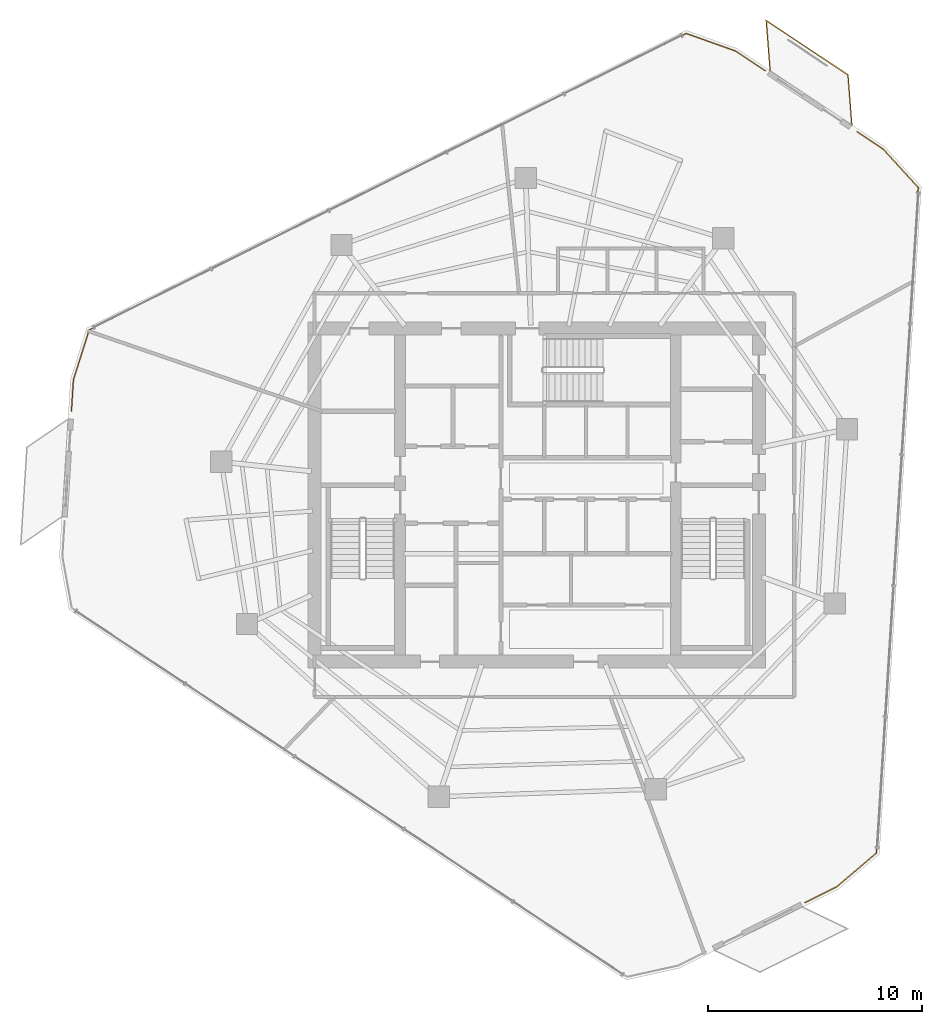
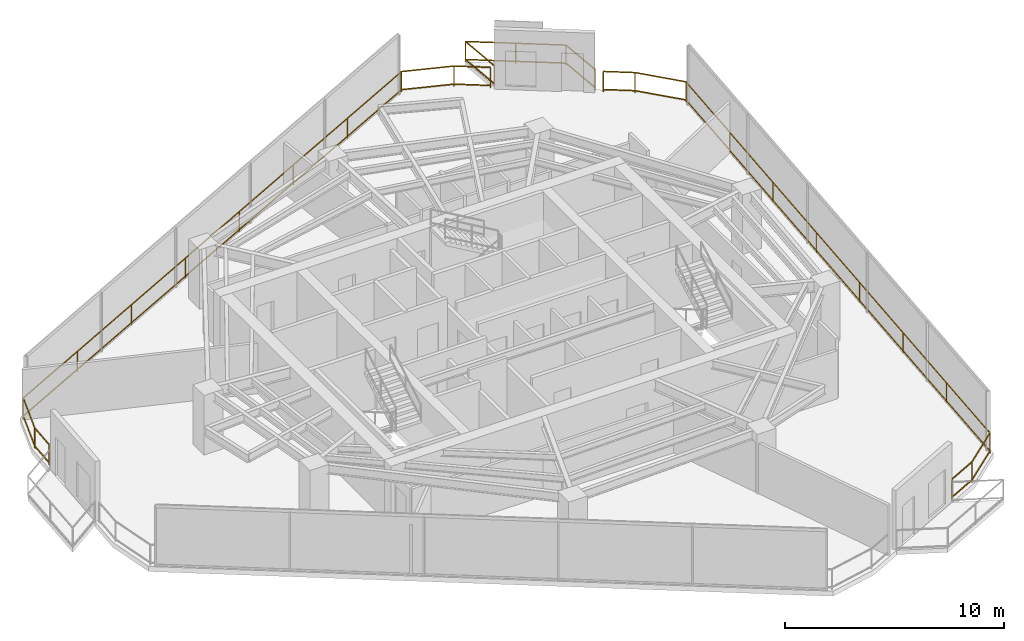
# One storey, part 21 of 21: 4 railings.
"""IFC4 building model written with IfcOpenShell, lengths in metres."""

from ifc_helpers import new_model, si_unit, direction, frame, origin, origin_2d, place, context, subcontext, project, spatial, rectangle, extrude, material, type_object, element, save


model = new_model("IFC4")

# Units and contexts
model_context = context("Model", 3, precision=1e-05, world=origin(), true_north=direction((0.0, 1.0)))
body_context = subcontext(model_context, "Body", "Model", "MODEL_VIEW")
ifc_project = project(units=[si_unit("LENGTHUNIT", "METRE"), si_unit("AREAUNIT", "SQUARE_METRE"), si_unit("VOLUMEUNIT", "CUBIC_METRE"), si_unit("PLANEANGLEUNIT", "RADIAN"), si_unit("MASSUNIT", "GRAM", prefix="KILO")], contexts=[model_context])

# Site, building, storey
site_placement = place(None, origin())
site = spatial("IfcSite", under=ifc_project, at=site_placement, CompositionType="ELEMENT")
building_placement = place(site_placement, origin())
building = spatial("IfcBuilding", under=site, at=building_placement, Name="Qarnah Convention Tower", CompositionType="ELEMENT")
storey_placement = place(building_placement, frame((0.0, 0.0, 165.300048828125)))
storey = spatial("IfcBuildingStorey", under=building, at=storey_placement, Name="L44", CompositionType="ELEMENT", Elevation=165.300048828125)

# Railings
ifc_material = material(Name="Black anodised aluminium", Category="aluminium")
railing_type = type_object("IfcRailingType", Name="RL-EXT-GUARD-1150", PredefinedType="GUARDRAIL", material=ifc_material)
railing_1_placement = place(storey_placement, frame((46.509033203125, 47.18408203125, 0.0)))
element("IfcRailing", 1, at=railing_1_placement, inside=storey, type_object=railing_type, Name="L44 slab-edge perimeter safety guard 01", PredefinedType="GUARDRAIL", context=body_context, shape_type="SweptSolid", body=[
    extrude(rectangle(XDim=0.048095703125, YDim=0.048095703125, at=origin_2d()), frame((0.0, 0.0, 1.1259765625), z_axis=(0.832926480289, -0.553383662962, 0.0), x_axis=(0.553383662962, 0.832926480289, 0.0)), (0.0, 0.0, 1.0), 1.669921875),
    extrude(rectangle(XDim=0.048095703125, YDim=0.048095703125, at=origin_2d()), frame((0.0, 0.0, 0.1201171875), z_axis=(0.832926480289, -0.553383662962, 0.0), x_axis=(0.553383662962, 0.832926480289, 0.0)), (0.0, 0.0, 1.0), 1.669921875),
    extrude(rectangle(XDim=0.0419921875, YDim=0.0419921875, at=origin_2d()), origin(), (0.0, 0.0, 1.0), 1.101806640625),
    extrude(rectangle(XDim=0.0419921875, YDim=0.0419921875, at=origin_2d()), frame((1.390869140625, -0.924072265625, 0.0)), (0.0, 0.0, 1.0), 1.101806640625),
])
railing_2_placement = place(storey_placement, frame((52.196044921875, 43.406005859375, 0.0)))
element("IfcRailing", 2, at=railing_2_placement, inside=storey, type_object=railing_type, Name="L44 slab-edge perimeter safety guard 02", PredefinedType="GUARDRAIL", context=body_context, shape_type="SweptSolid", body=[
    extrude(rectangle(XDim=0.048095703125, YDim=0.048095703125, at=origin_2d()), frame((0.0, 0.0, 1.1259765625), z_axis=(0.832616196205, -0.553850403826, 0.0), x_axis=(0.553850403826, 0.832616196205, 0.0)), (0.0, 0.0, 1.0), 1.458984375),
    extrude(rectangle(XDim=0.048095703125, YDim=0.048095703125, at=origin_2d()), frame((0.0, 0.0, 0.1201171875), z_axis=(0.832616196205, -0.553850403826, 0.0), x_axis=(0.553850403826, 0.832616196205, 0.0)), (0.0, 0.0, 1.0), 1.458984375),
    extrude(rectangle(XDim=0.048095703125, YDim=0.048095703125, at=origin_2d()), frame((1.21484375, -0.80810546875, 1.1259765625), z_axis=(0.674392233167, -0.738373290311, 0.0), x_axis=(0.738373290311, 0.674392233167, 0.0)), (0.0, 0.0, 1.0), 2.44970703125),
    extrude(rectangle(XDim=0.048095703125, YDim=0.048095703125, at=origin_2d()), frame((1.21484375, -0.80810546875, 0.1201171875), z_axis=(0.674392233167, -0.738373290311, 0.0), x_axis=(0.738373290311, 0.674392233167, 0.0)), (0.0, 0.0, 1.0), 2.44970703125),
    extrude(rectangle(XDim=0.048095703125, YDim=0.048095703125, at=origin_2d()), frame((2.866943359375, -2.616943359375, 1.1259765625), z_axis=(-0.062805916736, -0.998025759599, 0.0), x_axis=(0.998025759599, -0.062805916736, 0.0)), (0.0, 0.0, 1.0), 31.20654296875),
    extrude(rectangle(XDim=0.048095703125, YDim=0.048095703125, at=origin_2d()), frame((2.866943359375, -2.616943359375, 0.1201171875), z_axis=(-0.062805916736, -0.998025759599, 0.0), x_axis=(0.998025759599, -0.062805916736, 0.0)), (0.0, 0.0, 1.0), 31.20654296875),
    extrude(rectangle(XDim=0.048095703125, YDim=0.048095703125, at=origin_2d()), frame((0.906982421875, -33.761962890625, 1.1259765625), z_axis=(-0.761523694526, -0.6481370709, 0.0), x_axis=(0.6481370709, -0.761523694526, 0.0)), (0.0, 0.0, 1.0), 2.4501953125),
    extrude(rectangle(XDim=0.048095703125, YDim=0.048095703125, at=origin_2d()), frame((0.906982421875, -33.761962890625, 0.1201171875), z_axis=(-0.761523694526, -0.6481370709, 0.0), x_axis=(0.6481370709, -0.761523694526, 0.0)), (0.0, 0.0, 1.0), 2.4501953125),
    extrude(rectangle(XDim=0.048095703125, YDim=0.048095703125, at=origin_2d()), frame((-0.958984375, -35.35009765625, 1.1259765625), z_axis=(-0.895653139581, -0.444753250194, 0.0), x_axis=(0.444753250194, -0.895653139581, 0.0)), (0.0, 0.0, 1.0), 1.668212890625),
    extrude(rectangle(XDim=0.048095703125, YDim=0.048095703125, at=origin_2d()), frame((-0.958984375, -35.35009765625, 0.1201171875), z_axis=(-0.895653139581, -0.444753250194, 0.0), x_axis=(0.444753250194, -0.895653139581, 0.0)), (0.0, 0.0, 1.0), 1.668212890625),
    extrude(rectangle(XDim=0.0419921875, YDim=0.0419921875, at=origin_2d()), origin(), (0.0, 0.0, 1.0), 1.101806640625),
    extrude(rectangle(XDim=0.0419921875, YDim=0.0419921875, at=origin_2d()), frame((1.21484375, -0.80810546875, 0.0)), (0.0, 0.0, 1.0), 1.101806640625),
    extrude(rectangle(XDim=0.0419921875, YDim=0.0419921875, at=origin_2d()), frame((2.866943359375, -2.616943359375, 0.0)), (0.0, 0.0, 1.0), 1.101806640625),
    extrude(rectangle(XDim=0.0419921875, YDim=0.0419921875, at=origin_2d()), frame((2.5869140625, -7.066162109375, 0.0)), (0.0, 0.0, 1.0), 1.101806640625),
    extrude(rectangle(XDim=0.0419921875, YDim=0.0419921875, at=origin_2d()), frame((2.306884765625, -11.515625, 0.0)), (0.0, 0.0, 1.0), 1.101806640625),
    extrude(rectangle(XDim=0.0419921875, YDim=0.0419921875, at=origin_2d()), frame((2.02685546875, -15.96484375, 0.0)), (0.0, 0.0, 1.0), 1.101806640625),
    extrude(rectangle(XDim=0.0419921875, YDim=0.0419921875, at=origin_2d()), frame((1.7470703125, -20.4140625, 0.0)), (0.0, 0.0, 1.0), 1.101806640625),
    extrude(rectangle(XDim=0.0419921875, YDim=0.0419921875, at=origin_2d()), frame((1.467041015625, -24.86328125, 0.0)), (0.0, 0.0, 1.0), 1.101806640625),
    extrude(rectangle(XDim=0.0419921875, YDim=0.0419921875, at=origin_2d()), frame((1.18701171875, -29.312744140625, 0.0)), (0.0, 0.0, 1.0), 1.101806640625),
    extrude(rectangle(XDim=0.0419921875, YDim=0.0419921875, at=origin_2d()), frame((0.906982421875, -33.761962890625, 0.0)), (0.0, 0.0, 1.0), 1.101806640625),
    extrude(rectangle(XDim=0.0419921875, YDim=0.0419921875, at=origin_2d()), frame((-0.958984375, -35.35009765625, 0.0)), (0.0, 0.0, 1.0), 1.101806640625),
    extrude(rectangle(XDim=0.0419921875, YDim=0.0419921875, at=origin_2d()), frame((-2.453125, -36.092041015625, 0.0)), (0.0, 0.0, 1.0), 1.101806640625),
])
railing_3_placement = place(storey_placement, frame((15.416015625, 30.340087890625, 0.0)))
element("IfcRailing", 3, at=railing_3_placement, inside=storey, type_object=railing_type, Name="L44 slab-edge perimeter safety guard 04", PredefinedType="GUARDRAIL", context=body_context, shape_type="SweptSolid", body=[
    extrude(rectangle(XDim=0.048095703125, YDim=0.048095703125, at=origin_2d()), frame((0.0, 0.0, 1.1259765625), z_axis=(0.063139415695, 0.998004716515, 0.0), x_axis=(-0.998004716515, 0.063139415695, 0.0)), (0.0, 0.0, 1.0), 1.457763671875),
    extrude(rectangle(XDim=0.048095703125, YDim=0.048095703125, at=origin_2d()), frame((0.0, 0.0, 0.1201171875), z_axis=(0.063139415695, 0.998004716515, 0.0), x_axis=(-0.998004716515, 0.063139415695, 0.0)), (0.0, 0.0, 1.0), 1.457763671875),
    extrude(rectangle(XDim=0.048095703125, YDim=0.048095703125, at=origin_2d()), frame((0.092041015625, 1.454833984375, 1.1259765625), z_axis=(0.302109110483, 0.953273352907, 0.0), x_axis=(-0.953273352907, 0.302109110483, 0.0)), (0.0, 0.0, 1.0), 2.449462890625),
    extrude(rectangle(XDim=0.048095703125, YDim=0.048095703125, at=origin_2d()), frame((0.092041015625, 1.454833984375, 0.1201171875), z_axis=(0.302109110483, 0.953273352907, 0.0), x_axis=(-0.953273352907, 0.302109110483, 0.0)), (0.0, 0.0, 1.0), 2.449462890625),
    extrude(rectangle(XDim=0.048095703125, YDim=0.048095703125, at=origin_2d()), frame((0.83203125, 3.789794921875, 1.1259765625), z_axis=(0.895708057499, 0.444642638229, 0.0), x_axis=(-0.444642638229, 0.895708057499, 0.0)), (0.0, 0.0, 1.0), 31.20751953125),
    extrude(rectangle(XDim=0.048095703125, YDim=0.048095703125, at=origin_2d()), frame((0.83203125, 3.789794921875, 0.1201171875), z_axis=(0.895708057499, 0.444642638229, 0.0), x_axis=(-0.444642638229, 0.895708057499, 0.0)), (0.0, 0.0, 1.0), 31.20751953125),
    extrude(rectangle(XDim=0.048095703125, YDim=0.048095703125, at=origin_2d()), frame((28.784912109375, 17.666015625, 1.1259765625), z_axis=(0.942039123854, -0.335503038927, 0.0), x_axis=(0.335503038927, 0.942039123854, 0.0)), (0.0, 0.0, 1.0), 2.4501953125),
    extrude(rectangle(XDim=0.048095703125, YDim=0.048095703125, at=origin_2d()), frame((28.784912109375, 17.666015625, 0.1201171875), z_axis=(0.942039123854, -0.335503038927, 0.0), x_axis=(0.335503038927, 0.942039123854, 0.0)), (0.0, 0.0, 1.0), 2.4501953125),
    extrude(rectangle(XDim=0.0419921875, YDim=0.0419921875, at=origin_2d()), origin(), (0.0, 0.0, 1.0), 1.101806640625),
    extrude(rectangle(XDim=0.0419921875, YDim=0.0419921875, at=origin_2d()), frame((0.092041015625, 1.454833984375, 0.0)), (0.0, 0.0, 1.0), 1.101806640625),
    extrude(rectangle(XDim=0.0419921875, YDim=0.0419921875, at=origin_2d()), frame((0.83203125, 3.789794921875, 0.0)), (0.0, 0.0, 1.0), 1.101806640625),
    extrude(rectangle(XDim=0.0419921875, YDim=0.0419921875, at=origin_2d()), frame((4.8251953125, 5.772216796875, 0.0)), (0.0, 0.0, 1.0), 1.101806640625),
    extrude(rectangle(XDim=0.0419921875, YDim=0.0419921875, at=origin_2d()), frame((8.818603515625, 7.75439453125, 0.0)), (0.0, 0.0, 1.0), 1.101806640625),
    extrude(rectangle(XDim=0.0419921875, YDim=0.0419921875, at=origin_2d()), frame((12.811767578125, 9.73681640625, 0.0)), (0.0, 0.0, 1.0), 1.101806640625),
    extrude(rectangle(XDim=0.0419921875, YDim=0.0419921875, at=origin_2d()), frame((16.80517578125, 11.718994140625, 0.0)), (0.0, 0.0, 1.0), 1.101806640625),
    extrude(rectangle(XDim=0.0419921875, YDim=0.0419921875, at=origin_2d()), frame((20.79833984375, 13.701416015625, 0.0)), (0.0, 0.0, 1.0), 1.101806640625),
    extrude(rectangle(XDim=0.0419921875, YDim=0.0419921875, at=origin_2d()), frame((24.791748046875, 15.68359375, 0.0)), (0.0, 0.0, 1.0), 1.101806640625),
    extrude(rectangle(XDim=0.0419921875, YDim=0.0419921875, at=origin_2d()), frame((28.784912109375, 17.666015625, 0.0)), (0.0, 0.0, 1.0), 1.101806640625),
    extrude(rectangle(XDim=0.0419921875, YDim=0.0419921875, at=origin_2d()), frame((31.093017578125, 16.843994140625, 0.0)), (0.0, 0.0, 1.0), 1.101806640625),
])
railing_4_placement = place(storey_placement, frame((48.118896484375, 46.27587890625, 0.0)))
element("IfcRailing", 4, at=railing_4_placement, inside=storey, type_object=railing_type, Name="L44 balcony safety guard BAL-L44-C1", PredefinedType="GUARDRAIL", context=body_context, shape_type="SweptSolid", body=[
    extrude(rectangle(XDim=0.048095703125, YDim=0.048095703125, at=origin_2d()), frame((0.0, 0.0, 1.1259765625), z_axis=(-0.076632887744, 0.997059376625, 0.0), x_axis=(-0.997059376625, -0.076632887744, 0.0)), (0.0, 0.0, 1.0), 2.347900390625),
    extrude(rectangle(XDim=0.048095703125, YDim=0.048095703125, at=origin_2d()), frame((0.0, 0.0, 0.1201171875), z_axis=(-0.076632887744, 0.997059376625, 0.0), x_axis=(-0.997059376625, -0.076632887744, 0.0)), (0.0, 0.0, 1.0), 2.347900390625),
    extrude(rectangle(XDim=0.048095703125, YDim=0.048095703125, at=origin_2d()), frame((-0.179931640625, 2.341064453125, 1.1259765625), z_axis=(0.83296380808, -0.553327474855, 0.0), x_axis=(0.553327474855, 0.83296380808, 0.0)), (0.0, 0.0, 1.0), 4.599365234375),
    extrude(rectangle(XDim=0.048095703125, YDim=0.048095703125, at=origin_2d()), frame((-0.179931640625, 2.341064453125, 0.1201171875), z_axis=(0.83296380808, -0.553327474855, 0.0), x_axis=(0.553327474855, 0.83296380808, 0.0)), (0.0, 0.0, 1.0), 4.599365234375),
    extrude(rectangle(XDim=0.048095703125, YDim=0.048095703125, at=origin_2d()), frame((3.651123046875, -0.203857421875, 1.1259765625), z_axis=(0.076632887744, -0.997059376625, 0.0), x_axis=(0.997059376625, 0.076632887744, 0.0)), (0.0, 0.0, 1.0), 2.347900390625),
    extrude(rectangle(XDim=0.048095703125, YDim=0.048095703125, at=origin_2d()), frame((3.651123046875, -0.203857421875, 0.1201171875), z_axis=(0.076632887744, -0.997059376625, 0.0), x_axis=(0.997059376625, 0.076632887744, 0.0)), (0.0, 0.0, 1.0), 2.347900390625),
    extrude(rectangle(XDim=0.0419921875, YDim=0.0419921875, at=origin_2d()), origin(), (0.0, 0.0, 1.0), 1.101806640625),
    extrude(rectangle(XDim=0.0419921875, YDim=0.0419921875, at=origin_2d()), frame((-0.179931640625, 2.341064453125, 0.0)), (0.0, 0.0, 1.0), 1.101806640625),
    extrude(rectangle(XDim=0.0419921875, YDim=0.0419921875, at=origin_2d()), frame((1.735595703125, 1.068603515625, 0.0)), (0.0, 0.0, 1.0), 1.101806640625),
    extrude(rectangle(XDim=0.0419921875, YDim=0.0419921875, at=origin_2d()), frame((3.651123046875, -0.203857421875, 0.0)), (0.0, 0.0, 1.0), 1.101806640625),
    extrude(rectangle(XDim=0.0419921875, YDim=0.0419921875, at=origin_2d()), frame((3.8310546875, -2.544921875, 0.0)), (0.0, 0.0, 1.0), 1.101806640625),
])

save(model, "model.ifc")
